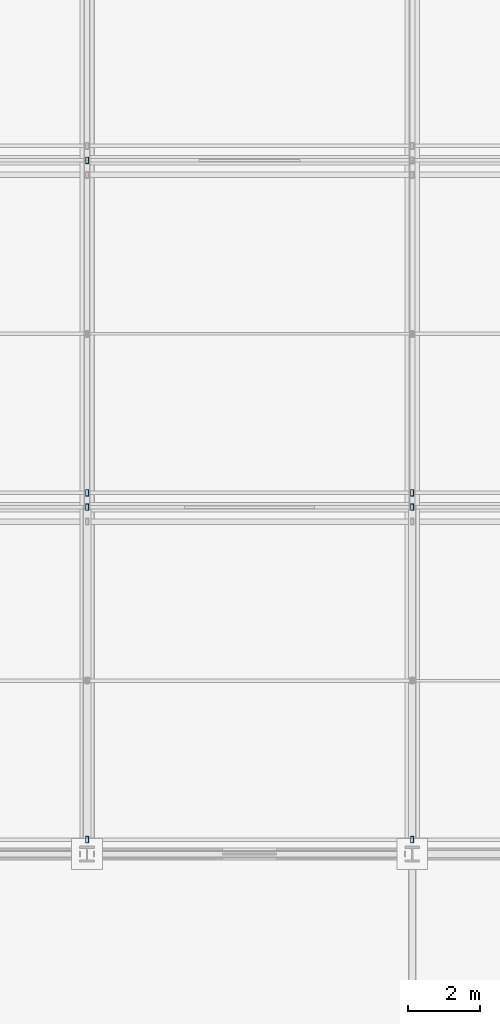
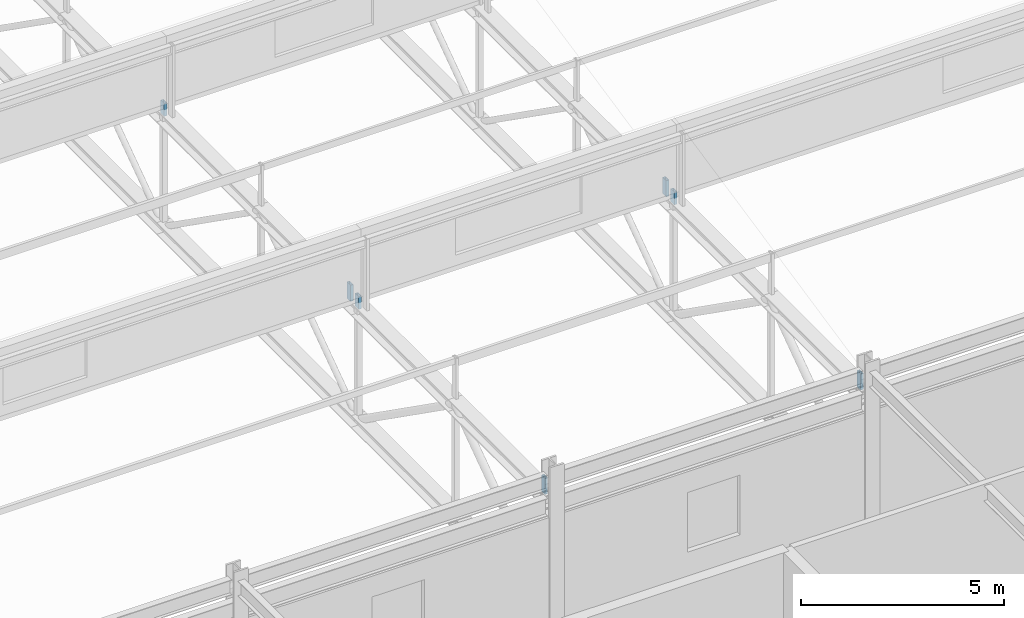
# One storey, part 81 of 136: 7 members.
"""IFC4 building model written with IfcOpenShell, lengths in metres."""

from ifc_helpers import new_model, si_unit, direction, frame, origin, origin_2d, place, context, subcontext, project, spatial, hollow_rectangle, extrude, material, material_profile, profile_set, type_object, element, save


model = new_model("IFC4")

# Units and contexts
model_context = context("Model", 3, precision=1e-05, world=origin(), true_north=direction((0.0, 1.0)))
body_context = subcontext(model_context, "Body", "Model", "MODEL_VIEW")
ifc_project = project(units=[si_unit("LENGTHUNIT", "METRE"), si_unit("AREAUNIT", "SQUARE_METRE"), si_unit("VOLUMEUNIT", "CUBIC_METRE"), si_unit("PLANEANGLEUNIT", "RADIAN"), si_unit("MASSUNIT", "GRAM", prefix="KILO")], contexts=[model_context])

# Site, building, storey
site_placement = place(None, origin())
site = spatial("IfcSite", under=ifc_project, at=site_placement, CompositionType="ELEMENT")
building_placement = place(site_placement, origin())
building = spatial("IfcBuilding", under=site, at=building_placement, Name="Kisiwana Market Hall", CompositionType="ELEMENT")
storey_placement = place(building_placement, frame((0.0, 0.0, 16.800048828125)))
storey = spatial("IfcBuildingStorey", under=building, at=storey_placement, Name="L03", CompositionType="ELEMENT", Elevation=16.800048828125)

# Members
ifc_material = material(Name="Steel S355", Category="steel")
ifc_material_profile = material_profile(ifc_material, hollow_rectangle(XDim=0.080078125, YDim=0.179931640625, WallThickness=0.00634765625, at=origin_2d()), Name="RHS 180x80x6.3")
ifc_profile_set = profile_set([ifc_material_profile], Name="Steel S355")
member_type = type_object("IfcMemberType", Name="MB-CAN-STRUT", PredefinedType="STRUT", material=ifc_profile_set)
member_1_placement = place(storey_placement, frame((108.0, 36.39990234375, 3.619873046875), z_axis=(0.0, 0.0, 1.0), x_axis=(1.0, 0.0, 0.0)))
element("IfcMember", 1, at=member_1_placement, inside=storey, type_object=member_type, Name="Sawtooth raker post 165 M-0236", PredefinedType="STRUT", context=body_context, shape_type="SweptSolid", body=[
    extrude(hollow_rectangle(XDim=0.080078125, YDim=0.179931640625, WallThickness=0.00634765625, at=origin_2d()), origin(), (0.0, 0.0, 1.0), 0.485107421875),
])
member_2_placement = place(storey_placement, frame((108.0, 45.60009765625, 3.619873046875), z_axis=(0.0, 0.0, 1.0), x_axis=(1.0, 0.0, 0.0)))
element("IfcMember", 2, at=member_2_placement, inside=storey, type_object=member_type, Name="Sawtooth raker post 167 M-0238", PredefinedType="STRUT", context=body_context, shape_type="SweptSolid", body=[
    extrude(hollow_rectangle(XDim=0.080078125, YDim=0.179931640625, WallThickness=0.00634765625, at=origin_2d()), origin(), (0.0, 0.0, 1.0), 0.385009765625),
])
member_3_placement = place(storey_placement, frame((117.0, 36.39990234375, 3.619873046875), z_axis=(0.0, 0.0, 1.0), x_axis=(1.0, 0.0, 0.0)))
element("IfcMember", 3, at=member_3_placement, inside=storey, type_object=member_type, Name="Sawtooth raker post 168 M-0239", PredefinedType="STRUT", context=body_context, shape_type="SweptSolid", body=[
    extrude(hollow_rectangle(XDim=0.080078125, YDim=0.179931640625, WallThickness=0.00634765625, at=origin_2d()), origin(), (0.0, 0.0, 1.0), 0.485107421875),
])
member_4_placement = place(storey_placement, frame((117.0, 45.60009765625, 3.619873046875), z_axis=(0.0, 0.0, 1.0), x_axis=(1.0, 0.0, 0.0)))
element("IfcMember", 4, at=member_4_placement, inside=storey, type_object=member_type, Name="Sawtooth raker post 170 M-0241", PredefinedType="STRUT", context=body_context, shape_type="SweptSolid", body=[
    extrude(hollow_rectangle(XDim=0.080078125, YDim=0.179931640625, WallThickness=0.00634765625, at=origin_2d()), origin(), (0.0, 0.0, 1.0), 0.385009765625),
])
member_5_placement = place(storey_placement, frame((108.0, 46.0, 3.619873046875), z_axis=(0.0, 0.0, 1.0), x_axis=(1.0, 0.0, 0.0)))
element("IfcMember", 5, at=member_5_placement, inside=storey, type_object=member_type, Name="Sawtooth raker post 210 M-0260", PredefinedType="STRUT", context=body_context, shape_type="SweptSolid", body=[
    extrude(hollow_rectangle(XDim=0.080078125, YDim=0.179931640625, WallThickness=0.00634765625, at=origin_2d()), origin(), (0.0, 0.0, 1.0), 0.485107421875),
])
member_6_placement = place(storey_placement, frame((108.0, 55.199951171875, 3.619873046875), z_axis=(0.0, 0.0, 1.0), x_axis=(1.0, 0.0, 0.0)))
element("IfcMember", 6, at=member_6_placement, inside=storey, type_object=member_type, Name="Sawtooth raker post 212 M-0262", PredefinedType="STRUT", context=body_context, shape_type="SweptSolid", body=[
    extrude(hollow_rectangle(XDim=0.080078125, YDim=0.179931640625, WallThickness=0.00634765625, at=origin_2d()), origin(), (0.0, 0.0, 1.0), 0.385009765625),
])
member_7_placement = place(storey_placement, frame((117.0, 46.0, 3.619873046875), z_axis=(0.0, 0.0, 1.0), x_axis=(1.0, 0.0, 0.0)))
element("IfcMember", 7, at=member_7_placement, inside=storey, type_object=member_type, Name="Sawtooth raker post 213 M-0263", PredefinedType="STRUT", context=body_context, shape_type="SweptSolid", body=[
    extrude(hollow_rectangle(XDim=0.080078125, YDim=0.179931640625, WallThickness=0.00634765625, at=origin_2d()), origin(), (0.0, 0.0, 1.0), 0.485107421875),
])

save(model, "model.ifc")
